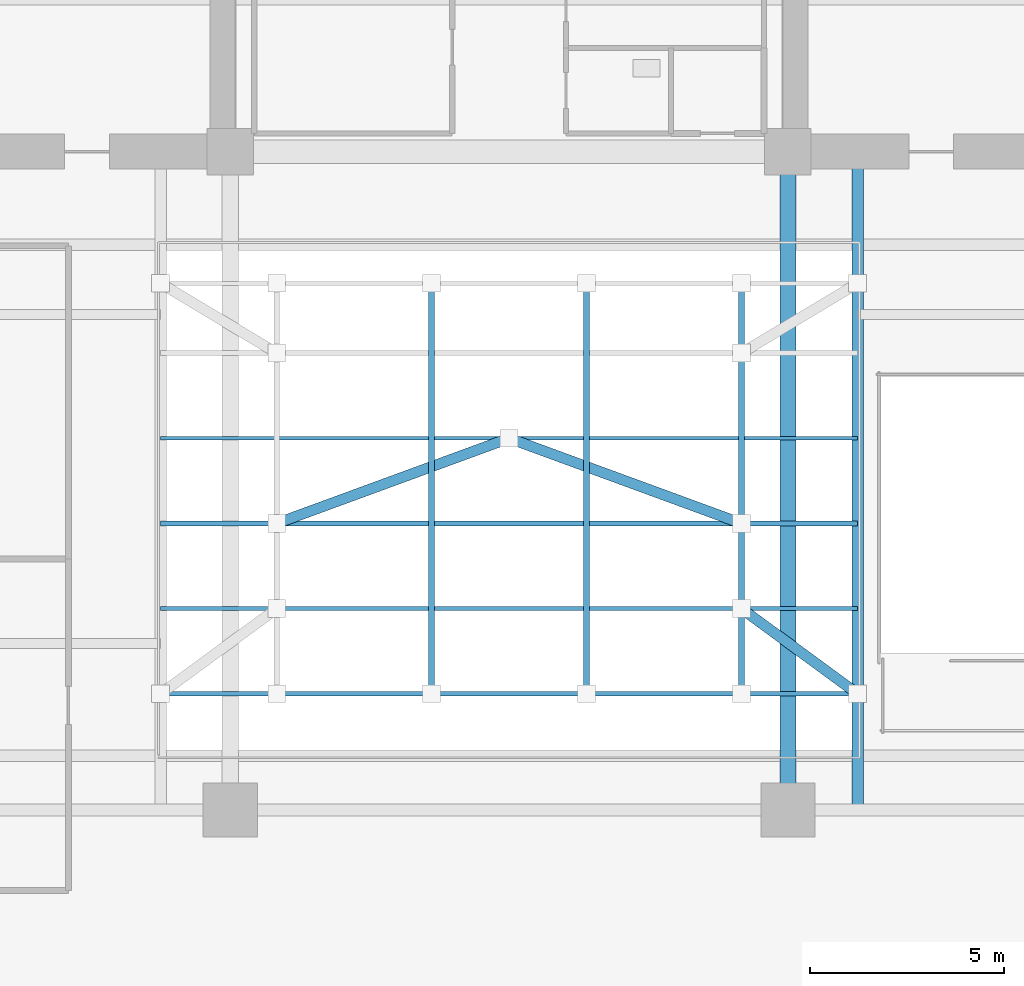
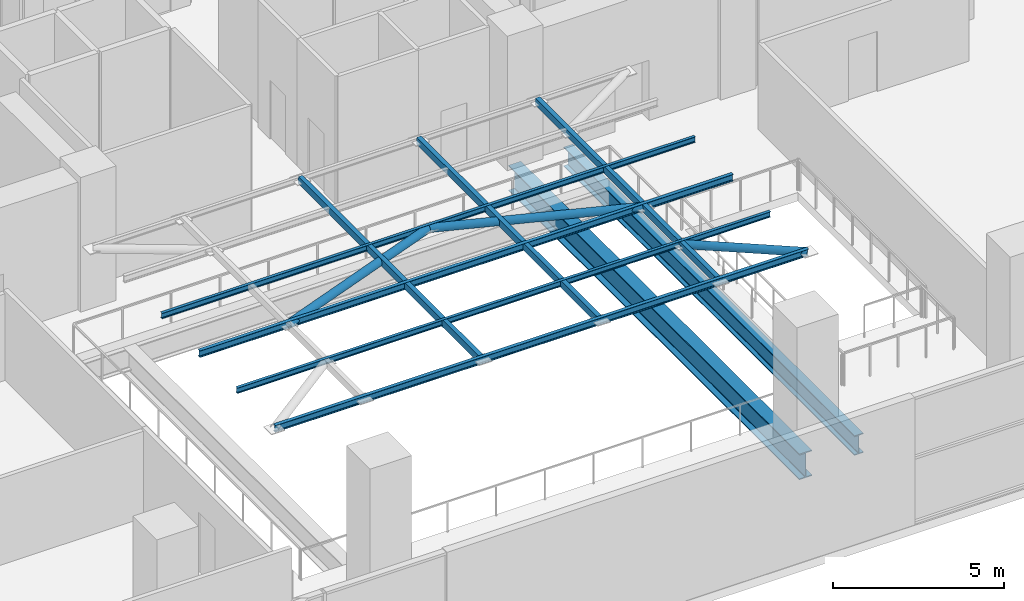
# One storey, part 6 of 22: 10 members, 2 beams.
"""IFC4 building model written with IfcOpenShell, lengths in metres."""

from ifc_helpers import new_model, si_unit, direction, frame, origin, origin_2d, place, context, subcontext, project, spatial, hollow_rectangle, hollow_circle, i_section, extrude, source, transform, mapped, material, material_profile, profile_set, type_object, element, save


model = new_model("IFC4")

# Units and contexts
model_context = context("Model", 3, precision=1e-05, world=origin(), true_north=direction((0.0, 1.0)))
body_context = subcontext(model_context, "Body", "Model", "MODEL_VIEW")
ifc_project = project(units=[si_unit("LENGTHUNIT", "METRE"), si_unit("AREAUNIT", "SQUARE_METRE"), si_unit("VOLUMEUNIT", "CUBIC_METRE"), si_unit("PLANEANGLEUNIT", "RADIAN"), si_unit("MASSUNIT", "GRAM", prefix="KILO")], contexts=[model_context])

# Site, building, storey
site_placement = place(None, origin())
site = spatial("IfcSite", under=ifc_project, at=site_placement, CompositionType="ELEMENT")
building_placement = place(site_placement, origin())
building = spatial("IfcBuilding", under=site, at=building_placement, Name="Zarnakvel Exchange Tower", CompositionType="ELEMENT")
storey_placement = place(building_placement, frame((0.0, 0.0, 22.60009765625)))
storey = spatial("IfcBuildingStorey", under=building, at=storey_placement, Name="L05", CompositionType="ELEMENT", Elevation=22.60009765625)

# Beams
ifc_material = material(Name="Steel S355", Category="steel")
ifc_material_profile_1 = material_profile(ifc_material, i_section(OverallWidth=0.300048828125, OverallDepth=0.699951171875, WebThickness=0.01708984375, FlangeThickness=0.031982421875, FilletRadius=0.027099609375, at=origin_2d()))
ifc_profile_set_1 = profile_set([ifc_material_profile_1], Name="Steel S355")
beam_type_1 = type_object("IfcBeamType", Name="G-03", PredefinedType="BEAM", material=ifc_profile_set_1)
beam_1_placement = place(storey_placement, frame((9.0, -18.199951171875, -0.650146484375), z_axis=(0.0, 1.0, 0.0), x_axis=(-1.0, 0.0, 0.0)))
element("IfcBeam", 1, at=beam_1_placement, inside=storey, type_object=beam_type_1, Name="L05 Atrium East Edge Girder", PredefinedType="BEAM", context=body_context, shape_type="SweptSolid", body=[
    extrude(i_section(OverallWidth=0.300048828125, OverallDepth=0.699951171875, WebThickness=0.01708984375, FlangeThickness=0.031982421875, FilletRadius=0.027099609375, at=origin_2d()), origin(), (0.0, 0.0, 1.0), 17.0),
])
ifc_material_profile_2 = material_profile(ifc_material, i_section(OverallWidth=0.42041015625, OverallDepth=0.9208984375, WebThickness=0.021484375, FlangeThickness=0.03662109375, FilletRadius=0.024169921875, at=origin_2d()))
ifc_profile_set_2 = profile_set([ifc_material_profile_2], Name="Steel S355")
beam_type_2 = type_object("IfcBeamType", Name="TB-01", PredefinedType="T_BEAM", material=ifc_profile_set_2)
beam_2_placement = place(storey_placement, frame((7.199951171875, -18.199951171875, -0.760498046875), z_axis=(0.0, 1.0, 0.0), x_axis=(-1.0, 0.0, 0.0)))
element("IfcBeam", 2, at=beam_2_placement, inside=storey, type_object=beam_type_2, Name="L05 Primary N-S Girder X=+7.2", PredefinedType="T_BEAM", context=body_context, shape_type="SweptSolid", body=[
    extrude(i_section(OverallWidth=0.42041015625, OverallDepth=0.9208984375, WebThickness=0.021484375, FlangeThickness=0.03662109375, FilletRadius=0.024169921875, at=origin_2d()), origin(), (0.0, 0.0, 1.0), 17.0),
])

# Members
ifc_material_profile_3 = material_profile(ifc_material, i_section(OverallWidth=0.1201171875, OverallDepth=0.239990234375, WebThickness=0.006103515625, FlangeThickness=0.009765625, FilletRadius=0.014892578125, at=origin_2d()))
ifc_profile_set_3 = profile_set([ifc_material_profile_3], Name="Steel S355")
member_type_1 = type_object("IfcMemberType", Name="PR-01", PredefinedType="PURLIN", material=ifc_profile_set_3)
shared_shape_1 = source(origin(), body_context, "Body", "SweptSolid", [
    extrude(i_section(OverallWidth=0.1201171875, OverallDepth=0.239990234375, WebThickness=0.006103515625, FlangeThickness=0.009765625, FilletRadius=0.014892578125, at=origin_2d()), origin(), (0.0, 0.0, 1.0), 18.0),
])
for number, where, z_axis, x_axis, name in (
    (3, (-9.0, -15.199951171875, 4.409912109375), (1.0, 0.0, 0.0), (0.0, 1.0, 0.0), "L05 Atrium Skylight Purlin PR-01 #1"),
    (4, (-9.0, -10.800048828125, 4.409912109375), (1.0, 0.0, 0.0), (0.0, 1.0, 0.0), "L05 Atrium Skylight Purlin PR-01 #3"),
):
    element("IfcMember", number, at=place(storey_placement, frame(where, z_axis=z_axis, x_axis=x_axis)), inside=storey, type_object=member_type_1, Name=name, PredefinedType="PURLIN", context=body_context, shape_type="MappedRepresentation", body=[
        mapped(shared_shape_1, transform((0.0, 0.0, 0.0), x_axis=(1.0, 0.0, 0.0), y_axis=(0.0, 1.0, 0.0), z_axis=(0.0, 0.0, 1.0), scale=1.0)),
    ])
ifc_material_profile_4 = material_profile(ifc_material, i_section(OverallWidth=0.10009765625, OverallDepth=0.199951171875, WebThickness=0.005615234375, FlangeThickness=0.008544921875, FilletRadius=0.011962890625, at=origin_2d()))
ifc_profile_set_4 = profile_set([ifc_material_profile_4], Name="Steel S355")
member_type_2 = type_object("IfcMemberType", Name="PR-02", PredefinedType="PURLIN", material=ifc_profile_set_4)
shared_shape_2 = source(origin(), body_context, "Body", "SweptSolid", [
    extrude(i_section(OverallWidth=0.10009765625, OverallDepth=0.199951171875, WebThickness=0.005615234375, FlangeThickness=0.008544921875, FilletRadius=0.011962890625, at=origin_2d()), origin(), (0.0, 0.0, 1.0), 18.0),
])
for number, where, z_axis, x_axis, name in (
    (5, (-9.0, -13.0, 4.429931640625), (1.0, 0.0, 0.0), (0.0, 1.0, 0.0), "L05 Atrium Skylight Purlin PR-02 #2"),
    (6, (-9.0, -8.60009765625, 4.429931640625), (1.0, 0.0, 0.0), (0.0, 1.0, 0.0), "L05 Atrium Skylight Purlin PR-02 #4"),
):
    element("IfcMember", number, at=place(storey_placement, frame(where, z_axis=z_axis, x_axis=x_axis)), inside=storey, type_object=member_type_2, Name=name, PredefinedType="PURLIN", context=body_context, shape_type="MappedRepresentation", body=[
        mapped(shared_shape_2, transform((0.0, 0.0, 0.0), x_axis=(1.0, 0.0, 0.0), y_axis=(0.0, 1.0, 0.0), z_axis=(0.0, 0.0, 1.0), scale=1.0)),
    ])
ifc_material_profile_5 = material_profile(ifc_material, hollow_rectangle(XDim=0.14990234375, YDim=0.25, WallThickness=0.010009765625, at=origin_2d()))
ifc_profile_set_5 = profile_set([ifc_material_profile_5], Name="Steel S355")
member_type_3 = type_object("IfcMemberType", Name="PR-03", PredefinedType="PURLIN", material=ifc_profile_set_5)
shared_shape_3 = source(origin(), body_context, "Body", "SweptSolid", [
    extrude(hollow_rectangle(XDim=0.14990234375, YDim=0.25, WallThickness=0.010009765625, at=origin_2d()), origin(), (0.0, 0.0, 1.0), 10.599853515625),
])
for number, where, z_axis, x_axis, name in (
    (7, (-2.0, -15.199951171875, 4.40478515625), (0.0, 1.0, 0.0), (-1.0, 0.0, 0.0), "L05 Atrium Secondary Purlin PR-03 #2"),
    (8, (2.0, -15.199951171875, 4.40478515625), (0.0, 1.0, 0.0), (-1.0, 0.0, 0.0), "L05 Atrium Secondary Purlin PR-03 #3"),
    (9, (6.0, -15.199951171875, 4.40478515625), (0.0, 1.0, 0.0), (-1.0, 0.0, 0.0), "L05 Atrium Secondary Purlin PR-03 #4"),
):
    element("IfcMember", number, at=place(storey_placement, frame(where, z_axis=z_axis, x_axis=x_axis)), inside=storey, type_object=member_type_3, Name=name, PredefinedType="PURLIN", context=body_context, shape_type="MappedRepresentation", body=[
        mapped(shared_shape_3, transform((0.0, 0.0, 0.0), x_axis=(1.0, 0.0, 0.0), y_axis=(0.0, 1.0, 0.0), z_axis=(0.0, 0.0, 1.0), scale=1.0)),
    ])
ifc_material_profile_6 = material_profile(ifc_material, hollow_circle(Radius=0.136474609375, WallThickness=0.012451171875, at=origin_2d()))
ifc_profile_set_6 = profile_set([ifc_material_profile_6], Name="Steel S355")
member_type_4 = type_object("IfcMemberType", Name="PR-04", PredefinedType="BRACE", material=ifc_profile_set_6)
shared_shape_4 = source(origin(), body_context, "Body", "SweptSolid", [
    extrude(hollow_circle(Radius=0.136474609375, WallThickness=0.012451171875, at=origin_2d()), origin(), (0.0, 0.0, 1.0), 3.72021484375),
])
member_placement = place(storey_placement, frame((9.0, -15.199951171875, 4.389892578125), z_axis=(-0.80641125493, 0.591355128432, 0.0), x_axis=(-0.591355128432, -0.80641125493, 0.0)))
element("IfcMember", 10, at=member_placement, inside=storey, type_object=member_type_4, Name="L05 Atrium Canopy Wind Brace #2", PredefinedType="BRACE", context=body_context, shape_type="MappedRepresentation", body=[
    mapped(shared_shape_4, transform((0.0, 0.0, 0.0), x_axis=(1.0, 0.0, 0.0), y_axis=(0.0, 1.0, 0.0), z_axis=(0.0, 0.0, 1.0), scale=1.0)),
])
shared_shape_5 = source(origin(), body_context, "Body", "SweptSolid", [
    extrude(hollow_circle(Radius=0.136474609375, WallThickness=0.012451171875, at=origin_2d()), origin(), (0.0, 0.0, 1.0), 6.390625),
])
for number, where, z_axis, x_axis, name in (
    (11, (-6.0, -10.800048828125, 4.389892578125), (0.938878785405, 0.344247914033, 0.0), (-0.344247914033, 0.938878785405, 0.0), "L05 Atrium Canopy Wind Brace #5"),
    (12, (6.0, -10.800048828125, 4.389892578125), (-0.938878785405, 0.344247914033, 0.0), (-0.344247914033, -0.938878785405, 0.0), "L05 Atrium Canopy Wind Brace #6"),
):
    element("IfcMember", number, at=place(storey_placement, frame(where, z_axis=z_axis, x_axis=x_axis)), inside=storey, type_object=member_type_4, Name=name, PredefinedType="BRACE", context=body_context, shape_type="MappedRepresentation", body=[
        mapped(shared_shape_5, transform((0.0, 0.0, 0.0), x_axis=(1.0, 0.0, 0.0), y_axis=(0.0, 1.0, 0.0), z_axis=(0.0, 0.0, 1.0), scale=1.0)),
    ])

save(model, "model.ifc")
